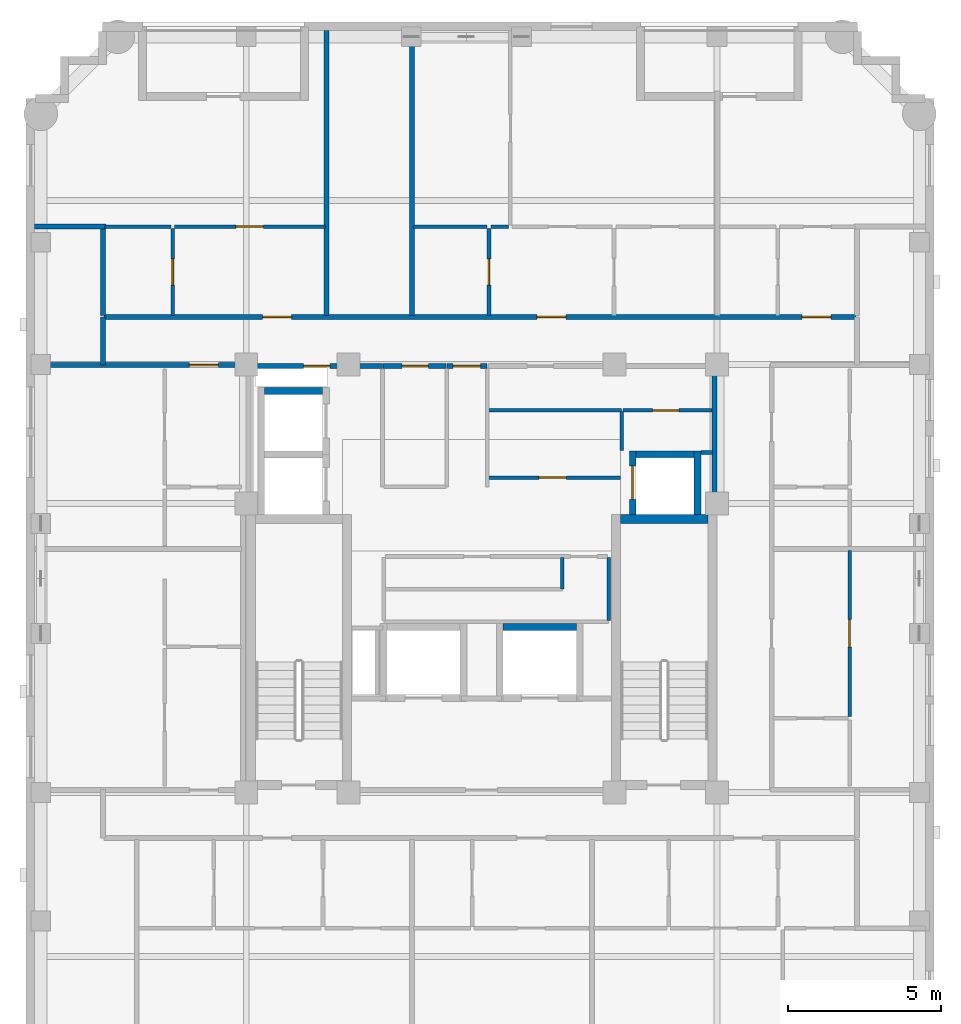
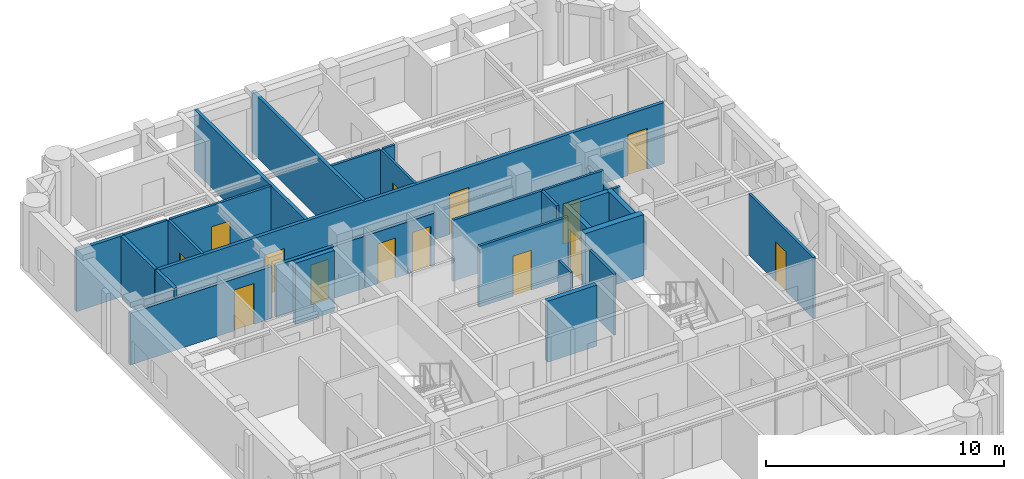
# One storey, part 5 of 10: 31 walls, 14 doors, 14 openings.
"""IFC4 building model written with IfcOpenShell, lengths in metres."""

from ifc_helpers import new_model, si_unit, derived_unit, direction, frame, frame_2d, origin, place, context, subcontext, project, spatial, rectangle, extrude, material, layer, layer_set, type_object, element, fill, save


model = new_model("IFC4")

# Units and contexts
model_context = context("Model", 3, precision=1e-05, world=origin(), true_north=direction((0.0, 1.0)))
body_context = subcontext(model_context, "Body", "Model", "MODEL_VIEW")
ifc_project = project(units=[si_unit("LENGTHUNIT", "METRE"), si_unit("AREAUNIT", "SQUARE_METRE"), si_unit("VOLUMEUNIT", "CUBIC_METRE"), si_unit("PLANEANGLEUNIT", "RADIAN"), si_unit("MASSUNIT", "GRAM", prefix="KILO"), derived_unit("THERMALTRANSMITTANCEUNIT", [(si_unit("MASSUNIT", "GRAM", prefix="KILO"), 1), (si_unit("TIMEUNIT", "SECOND"), -3), (si_unit("THERMODYNAMICTEMPERATUREUNIT", "KELVIN"), -1)])], contexts=[model_context])

# Site, building, storey
site_placement = place(None, origin())
site = spatial("IfcSite", under=ifc_project, at=site_placement, CompositionType="ELEMENT")
building_placement = place(site_placement, origin())
building = spatial("IfcBuilding", under=site, at=building_placement, Name="Korrvale Station Residences", CompositionType="ELEMENT")
storey_placement = place(building_placement, frame((0.0, 0.0, 237.699951171875)))
storey = spatial("IfcBuildingStorey", under=building, at=storey_placement, Name="L69", CompositionType="ELEMENT", Elevation=237.699951171875)

# Walls
ifc_material_1 = material(Name="Concrete C50/60", Category="concrete")
ifc_layer_1 = layer(ifc_material_1, 0.300048828125, Name="Concrete C50/60")
ifc_layer_set_1 = layer_set([ifc_layer_1], Name="Concrete C50/60")
wall_type_1 = type_object("IfcWallType", Name="WAL-CORE-300-C50", PredefinedType="SHEAR", material=ifc_layer_set_1)
wall_1_placement = place(storey_placement, frame((30.050048828125, 23.949951171875, 0.0), z_axis=(0.0, 0.0, 1.0), x_axis=(1.0, 0.0, 0.0)))
element("IfcWall", 1, at=wall_1_placement, inside=storey, type_object=wall_type_1, Name="L69 ST-2 Core Shear Wall North", PredefinedType="SHEAR", context=body_context, shape_type="SweptSolid", body=[
    extrude(rectangle(XDim=2.849853515625, YDim=0.300048828125, at=frame_2d((1.4248046875, 0.0))), origin(), (0.0, 0.0, 1.0), 3.14013671875),
])
ifc_material_2 = material(Name="Acoustic steel-stud gypsum board partition", Category="steel")
ifc_layer_2 = layer(ifc_material_2, 0.1201171875, Name="Acoustic steel-stud gypsum board partition")
ifc_layer_set_2 = layer_set([ifc_layer_2], Name="Acoustic steel-stud gypsum board partition")
wall_type_2 = type_object("IfcWallType", Name="WAL-PART-125", PredefinedType="PARTITIONING", material=ifc_layer_set_2)
wall_2_placement = place(storey_placement, frame((30.080078125, 26.179931640625, 0.0), z_axis=(0.0, 0.0, 1.0), x_axis=(0.0, 1.0, 0.0)))
element("IfcWall", 2, at=wall_2_placement, inside=storey, type_object=wall_type_2, Name="L69 Core Partition CW-CS-W", PredefinedType="PARTITIONING", context=body_context, shape_type="SweptSolid", body=[
    extrude(rectangle(XDim=1.280029296875, YDim=0.1201171875, at=frame_2d((0.64013671875, 0.0))), origin(), (0.0, 0.0, 1.0), 3.14013671875),
])
wall_3_placement = place(storey_placement, frame((32.679931640625, 26.1201171875, 0.0), z_axis=(0.0, 0.0, 1.0), x_axis=(1.0, 0.0, 0.0)))
element("IfcWall", 3, at=wall_3_placement, inside=storey, type_object=wall_type_2, Name="L69 Core Partition CW-CS-S", PredefinedType="PARTITIONING", context=body_context, shape_type="SweptSolid", body=[
    extrude(rectangle(XDim=0.380126953125, YDim=0.1201171875, at=frame_2d((0.18994140625, 0.0))), origin(), (0.0, 0.0, 1.0), 3.14013671875),
])

# Wall, opening, door
wall_4_placement = place(storey_placement, frame((30.1201171875, 27.5, 0.0), z_axis=(0.0, 0.0, 1.0), x_axis=(1.0, 0.0, 0.0)))
wall_4 = element("IfcWall", 4, at=wall_4_placement, inside=storey, type_object=wall_type_2, Name="L69 Core Partition CW-CS-H", PredefinedType="PARTITIONING", context=body_context, shape_type="SweptSolid", body=[
    extrude(rectangle(XDim=2.919921875, YDim=0.1201171875, at=frame_2d((1.4599609375, 0.0))), origin(), (0.0, 0.0, 1.0), 3.14013671875),
])
opening_1_placement = place(wall_4_placement, frame((0.969970703125, 0.0, 0.0)))
opening_1 = element("IfcOpeningElement", 5, at=opening_1_placement, cuts=wall_4, Name="Opening DB-860", PredefinedType="OPENING", context=body_context, shape_type="SweptSolid", body=[
    extrude(rectangle(XDim=0.860107421875, YDim=2.050048828125, at=frame_2d((0.43017578125, 1.02490234375))), frame((0.0, 0.070068359375, 0.0), z_axis=(0.0, -1.0, 0.0), x_axis=(1.0, 0.0, 0.0)), (0.0, 0.0, 1.0), 0.14013671875),
])
ifc_material_3 = material(Name="Moisture-resistant solid-core bathroom door", Category="timber")
door_type_1 = type_object("IfcDoorType", Name="DR-BATH-860", OperationType="NOTDEFINED", PredefinedType="DOOR", material=ifc_material_3)
door_1_placement = place(opening_1_placement, origin())
door_1 = element("IfcDoor", 6, at=door_1_placement, inside=storey, type_object=door_type_1, Name="L69 Mail Sorting Inner Door", OperationType="SINGLE_SWING_LEFT", OverallHeight=2.050048828125, OverallWidth=0.860107421875, PredefinedType="DOOR", context=body_context, shape_type="SweptSolid", body=[
    extrude(rectangle(XDim=0.860107421875, YDim=2.050048828125, at=frame_2d((0.43017578125, 1.02490234375))), frame((0.0, 0.02490234375, 0.0), z_axis=(0.0, -1.0, 0.0), x_axis=(1.0, 0.0, 0.0)), (0.0, 0.0, 1.0), 0.050048828125),
])
fill(opening_1, door_1)

# Wall
wall_5_placement = place(storey_placement, frame((25.719970703125, 27.5, 0.0), z_axis=(0.0, 0.0, 1.0), x_axis=(1.0, 0.0, 0.0)))
element("IfcWall", 7, at=wall_5_placement, inside=storey, type_object=wall_type_2, Name="L69 Core Partition CW-FPLE-H", PredefinedType="PARTITIONING", context=body_context, shape_type="SweptSolid", body=[
    extrude(rectangle(XDim=4.360107421875, YDim=0.1201171875, at=frame_2d((2.18017578125, 0.0))), origin(), (0.0, 0.0, 1.0), 3.14013671875),
])

# Wall, opening, door
wall_6_placement = place(storey_placement, frame((25.719970703125, 25.300048828125, 0.0), z_axis=(0.0, 0.0, 1.0), x_axis=(1.0, 0.0, 0.0)))
wall_6 = element("IfcWall", 8, at=wall_6_placement, inside=storey, type_object=wall_type_2, Name="L69 Core Partition CW-FPLE-S", PredefinedType="PARTITIONING", context=body_context, shape_type="SweptSolid", body=[
    extrude(rectangle(XDim=4.320068359375, YDim=0.1201171875, at=frame_2d((2.16015625, 0.0))), origin(), (0.0, 0.0, 1.0), 3.14013671875),
])
opening_2_placement = place(wall_6_placement, frame((1.64990234375, 0.0, 0.0)))
opening_2 = element("IfcOpeningElement", 9, at=opening_2_placement, cuts=wall_6, Name="Opening DI-900", PredefinedType="OPENING", context=body_context, shape_type="SweptSolid", body=[
    extrude(rectangle(XDim=0.89990234375, YDim=2.050048828125, at=frame_2d((0.449951171875, 1.02490234375))), frame((0.0, 0.070068359375, 0.0), z_axis=(0.0, -1.0, 0.0), x_axis=(1.0, 0.0, 0.0)), (0.0, 0.0, 1.0), 0.14013671875),
])
ifc_material_4 = material(Name="Painted solid-core timber interior room door", Category="wood")
door_type_2 = type_object("IfcDoorType", Name="DR-INT-900", OperationType="NOTDEFINED", PredefinedType="DOOR", material=ifc_material_4)
door_2_placement = place(opening_2_placement, origin())
door_2 = element("IfcDoor", 10, at=door_2_placement, inside=storey, type_object=door_type_2, Name="L69 Housekeeping Linen Door", OperationType="SINGLE_SWING_LEFT", OverallHeight=2.050048828125, OverallWidth=0.89990234375, PredefinedType="DOOR", context=body_context, shape_type="SweptSolid", body=[
    extrude(rectangle(XDim=0.89990234375, YDim=2.050048828125, at=frame_2d((0.449951171875, 1.02490234375))), frame((0.0, 0.02490234375, 0.0), z_axis=(0.0, -1.0, 0.0), x_axis=(1.0, 0.0, 0.0)), (0.0, 0.0, 1.0), 0.050048828125),
])
fill(opening_2, door_2)

# Walls
wall_7_placement = place(storey_placement, frame((29.659912109375, 20.6201171875, 0.0), z_axis=(0.0, 0.0, 1.0), x_axis=(0.0, 1.0, 0.0)))
element("IfcWall", 11, at=wall_7_placement, inside=storey, type_object=wall_type_2, Name="L69 Core Partition CW-FPM-E", PredefinedType="PARTITIONING", context=body_context, shape_type="SweptSolid", body=[
    extrude(rectangle(XDim=2.059814453125, YDim=0.1201171875, at=frame_2d((1.02978515625, 0.0))), origin(), (0.0, 0.0, 1.0), 3.14013671875),
])
wall_8_placement = place(storey_placement, frame((28.139892578125, 21.64990234375, 0.0), z_axis=(0.0, 0.0, 1.0), x_axis=(0.0, 1.0, 0.0)))
element("IfcWall", 12, at=wall_8_placement, inside=storey, type_object=wall_type_2, Name="L69 Core Partition CW-FPM-V1", PredefinedType="PARTITIONING", context=body_context, shape_type="SweptSolid", body=[
    extrude(rectangle(XDim=1.030029296875, YDim=0.1201171875, at=frame_2d((0.51513671875, 0.0))), origin(), (0.0, 0.0, 1.0), 3.14013671875),
])

# Wall, opening, door
wall_9_placement = place(storey_placement, frame((15.39697265625, 30.60009765625, 0.0), z_axis=(0.0, 0.0, 1.0), x_axis=(0.0, 1.0, 0.0)))
wall_9 = element("IfcWall", 13, at=wall_9_placement, inside=storey, type_object=wall_type_2, Name="L69 Suite Partition U04-V01", PredefinedType="PARTITIONING", context=body_context, shape_type="SweptSolid", body=[
    extrude(rectangle(XDim=2.849853515625, YDim=0.1201171875, at=frame_2d((1.4248046875, 0.0))), origin(), (0.0, 0.0, 1.0), 3.14013671875),
])
opening_3_placement = place(wall_9_placement, frame((0.9951171875, 0.0, 0.0)))
opening_3 = element("IfcOpeningElement", 14, at=opening_3_placement, cuts=wall_9, Name="Opening DB-860", PredefinedType="OPENING", context=body_context, shape_type="SweptSolid", body=[
    extrude(rectangle(XDim=0.860107421875, YDim=2.050048828125, at=frame_2d((0.43017578125, 1.02490234375))), frame((0.0, 0.070068359375, 0.0), z_axis=(0.0, -1.0, 0.0), x_axis=(1.0, 0.0, 0.0)), (0.0, 0.0, 1.0), 0.14013671875),
])
door_3_placement = place(opening_3_placement, origin())
door_3 = element("IfcDoor", 15, at=door_3_placement, inside=storey, type_object=door_type_1, Name="L69 Studio Apartment L69-U04 Bathroom Door", OperationType="SINGLE_SWING_RIGHT", OverallHeight=2.050048828125, OverallWidth=0.860107421875, PredefinedType="DOOR", context=body_context, shape_type="SweptSolid", body=[
    extrude(rectangle(XDim=0.860107421875, YDim=2.050048828125, at=frame_2d((0.43017578125, 1.02490234375))), frame((0.0, 0.02490234375, 0.0), z_axis=(0.0, -1.0, 0.0), x_axis=(1.0, 0.0, 0.0)), (0.0, 0.0, 1.0), 0.050048828125),
])
fill(opening_3, door_3)

# Wall
wall_10_placement = place(storey_placement, frame((13.179931640625, 33.510009765625, 0.0), z_axis=(0.0, 0.0, 1.0), x_axis=(1.0, 0.0, 0.0)))
element("IfcWall", 16, at=wall_10_placement, inside=storey, type_object=wall_type_2, Name="L69 Suite Partition U04-H02", PredefinedType="PARTITIONING", context=body_context, shape_type="SweptSolid", body=[
    extrude(rectangle(XDim=2.156982421875, YDim=0.1201171875, at=frame_2d((1.07861328125, 0.0))), origin(), (0.0, 0.0, 1.0), 3.14013671875),
])

# Wall, opening, door
wall_11_placement = place(storey_placement, frame((15.45703125, 33.510009765625, 0.0), z_axis=(0.0, 0.0, 1.0), x_axis=(1.0, 0.0, 0.0)))
wall_11 = element("IfcWall", 17, at=wall_11_placement, inside=storey, type_object=wall_type_2, Name="L69 Suite Partition U04-H12", PredefinedType="PARTITIONING", context=body_context, shape_type="SweptSolid", body=[
    extrude(rectangle(XDim=4.9130859375, YDim=0.1201171875, at=frame_2d((2.45654296875, 0.0))), origin(), (0.0, 0.0, 1.0), 3.14013671875),
])
opening_4_placement = place(wall_11_placement, frame((2.006103515625, 0.0, 0.0)))
opening_4 = element("IfcOpeningElement", 18, at=opening_4_placement, cuts=wall_11, Name="Opening DI-900", PredefinedType="OPENING", context=body_context, shape_type="SweptSolid", body=[
    extrude(rectangle(XDim=0.89990234375, YDim=2.050048828125, at=frame_2d((0.449951171875, 1.02490234375))), frame((0.0, 0.070068359375, 0.0), z_axis=(0.0, -1.0, 0.0), x_axis=(1.0, 0.0, 0.0)), (0.0, 0.0, 1.0), 0.14013671875),
])
door_4_placement = place(opening_4_placement, origin())
door_4 = element("IfcDoor", 19, at=door_4_placement, inside=storey, type_object=door_type_2, Name="L69 Studio Apartment L69-U04 Kitchen Door", OperationType="SINGLE_SWING_LEFT", OverallHeight=2.050048828125, OverallWidth=0.89990234375, PredefinedType="DOOR", context=body_context, shape_type="SweptSolid", body=[
    extrude(rectangle(XDim=0.89990234375, YDim=2.050048828125, at=frame_2d((0.449951171875, 1.02490234375))), frame((0.0, 0.02490234375, 0.0), z_axis=(0.0, -1.0, 0.0), x_axis=(1.0, 0.0, 0.0)), (0.0, 0.0, 1.0), 0.050048828125),
])
fill(opening_4, door_4)

wall_12_placement = place(storey_placement, frame((25.739990234375, 30.60009765625, 0.0), z_axis=(0.0, 0.0, 1.0), x_axis=(0.0, 1.0, 0.0)))
wall_12 = element("IfcWall", 20, at=wall_12_placement, inside=storey, type_object=wall_type_2, Name="L69 Suite Partition U05-V01", PredefinedType="PARTITIONING", context=body_context, shape_type="SweptSolid", body=[
    extrude(rectangle(XDim=2.849853515625, YDim=0.1201171875, at=frame_2d((1.4248046875, 0.0))), origin(), (0.0, 0.0, 1.0), 3.14013671875),
])
opening_5_placement = place(wall_12_placement, frame((0.9951171875, 0.0, 0.0)))
opening_5 = element("IfcOpeningElement", 21, at=opening_5_placement, cuts=wall_12, Name="Opening DB-860", PredefinedType="OPENING", context=body_context, shape_type="SweptSolid", body=[
    extrude(rectangle(XDim=0.860107421875, YDim=2.050048828125, at=frame_2d((0.43017578125, 1.02490234375))), frame((0.0, 0.070068359375, 0.0), z_axis=(0.0, -1.0, 0.0), x_axis=(1.0, 0.0, 0.0)), (0.0, 0.0, 1.0), 0.14013671875),
])
door_5_placement = place(opening_5_placement, origin())
door_5 = element("IfcDoor", 22, at=door_5_placement, inside=storey, type_object=door_type_1, Name="L69 Studio Apartment L69-U05 Bathroom Door", OperationType="SINGLE_SWING_RIGHT", OverallHeight=2.050048828125, OverallWidth=0.860107421875, PredefinedType="DOOR", context=body_context, shape_type="SweptSolid", body=[
    extrude(rectangle(XDim=0.860107421875, YDim=2.050048828125, at=frame_2d((0.43017578125, 1.02490234375))), frame((0.0, 0.02490234375, 0.0), z_axis=(0.0, -1.0, 0.0), x_axis=(1.0, 0.0, 0.0)), (0.0, 0.0, 1.0), 0.050048828125),
])
fill(opening_5, door_5)

# Walls
wall_13_placement = place(storey_placement, frame((23.280029296875, 33.510009765625, 0.0), z_axis=(0.0, 0.0, 1.0), x_axis=(1.0, 0.0, 0.0)))
element("IfcWall", 23, at=wall_13_placement, inside=storey, type_object=wall_type_2, Name="L69 Suite Partition U05-H03", PredefinedType="PARTITIONING", context=body_context, shape_type="SweptSolid", body=[
    extrude(rectangle(XDim=2.39990234375, YDim=0.1201171875, at=frame_2d((1.199951171875, 0.0))), origin(), (0.0, 0.0, 1.0), 3.14013671875),
])
wall_14_placement = place(storey_placement, frame((25.800048828125, 33.510009765625, 0.0), z_axis=(0.0, 0.0, 1.0), x_axis=(1.0, 0.0, 0.0)))
element("IfcWall", 24, at=wall_14_placement, inside=storey, type_object=wall_type_2, Name="L69 Suite Partition U05-H13", PredefinedType="PARTITIONING", context=body_context, shape_type="SweptSolid", body=[
    extrude(rectangle(XDim=0.579833984375, YDim=0.1201171875, at=frame_2d((0.2900390625, 0.0))), origin(), (0.0, 0.0, 1.0), 3.14013671875),
])

# Wall, opening, door
wall_15_placement = place(storey_placement, frame((37.5400390625, 17.489013671875, 0.0), z_axis=(0.0, 0.0, 1.0), x_axis=(0.0, 1.0, 0.0)))
wall_15 = element("IfcWall", 25, at=wall_15_placement, inside=storey, type_object=wall_type_2, Name="L69 Suite Partition U09-V12", PredefinedType="PARTITIONING", context=body_context, shape_type="SweptSolid", body=[
    extrude(rectangle(XDim=5.43310546875, YDim=0.1201171875, at=frame_2d((2.716552734375, 0.0))), origin(), (0.0, 0.0, 1.0), 3.14013671875),
])
opening_6_placement = place(wall_15_placement, frame((2.26611328125, 0.0, 0.0)))
opening_6 = element("IfcOpeningElement", 26, at=opening_6_placement, cuts=wall_15, Name="Opening DI-900", PredefinedType="OPENING", context=body_context, shape_type="SweptSolid", body=[
    extrude(rectangle(XDim=0.89990234375, YDim=2.050048828125, at=frame_2d((0.449951171875, 1.02490234375))), frame((0.0, 0.070068359375, 0.0), z_axis=(0.0, -1.0, 0.0), x_axis=(1.0, 0.0, 0.0)), (0.0, 0.0, 1.0), 0.14013671875),
])
door_6_placement = place(opening_6_placement, origin())
door_6 = element("IfcDoor", 27, at=door_6_placement, inside=storey, type_object=door_type_2, Name="L69 Apartment 1BR L69-U09 Kitchen Door", OperationType="SINGLE_SWING_RIGHT", OverallHeight=2.050048828125, OverallWidth=0.89990234375, PredefinedType="DOOR", context=body_context, shape_type="SweptSolid", body=[
    extrude(rectangle(XDim=0.89990234375, YDim=2.050048828125, at=frame_2d((0.449951171875, 1.02490234375))), frame((0.0, 0.02490234375, 0.0), z_axis=(0.0, -1.0, 0.0), x_axis=(1.0, 0.0, 0.0)), (0.0, 0.0, 1.0), 0.050048828125),
])
fill(opening_6, door_6)

# Wall
ifc_material_5 = material(Name="Fire-rated twin-stud gypsum and mineral wool shaftwall assembly", Category="gypsum")
ifc_layer_3 = layer(ifc_material_5, 0.159912109375, Name="Fire-rated twin-stud gypsum and mineral wool shaftwall assembly")
ifc_layer_set_3 = layer_set([ifc_layer_3], Name="Fire-rated twin-stud gypsum and mineral wool shaftwall assembly")
wall_type_3 = type_object("IfcWallType", Name="WAL-PART-200", PredefinedType="PARTITIONING", material=ifc_layer_set_3)
wall_16_placement = place(storey_placement, frame((33.1201171875, 24.1201171875, 0.0), z_axis=(0.0, 0.0, 1.0), x_axis=(0.0, 1.0, 0.0)))
element("IfcWall", 28, at=wall_16_placement, inside=storey, type_object=wall_type_3, Name="L69 Core Partition CW-E-N", PredefinedType="PARTITIONING", context=body_context, shape_type="SweptSolid", body=[
    extrude(rectangle(XDim=4.759765625, YDim=0.159912109375, at=frame_2d((2.3798828125, 0.0))), origin(), (0.0, 0.0, 1.0), 2.47509765625),
])

# Wall, opening, door
wall_17_placement = place(storey_placement, frame((24.360107421875, 28.949951171875, 0.0), z_axis=(0.0, 0.0, 1.0), x_axis=(1.0, 0.0, 0.0)))
wall_17 = element("IfcWall", 29, at=wall_17_placement, inside=storey, type_object=wall_type_3, Name="L69 Core Partition CW-LLOB-N", PredefinedType="PARTITIONING", context=body_context, shape_type="SweptSolid", body=[
    extrude(rectangle(XDim=1.31982421875, YDim=0.159912109375, at=frame_2d((0.659912109375, 0.0))), origin(), (0.0, 0.0, 1.0), 2.66796875),
])
opening_7_placement = place(wall_17_placement, frame((0.2099609375, 0.0, 0.0)))
opening_7 = element("IfcOpeningElement", 30, at=opening_7_placement, cuts=wall_17, Name="Opening DI-900", PredefinedType="OPENING", context=body_context, shape_type="SweptSolid", body=[
    extrude(rectangle(XDim=0.89990234375, YDim=2.050048828125, at=frame_2d((0.449951171875, 1.02490234375))), frame((0.0, 0.08984375, 0.0), z_axis=(0.0, -1.0, 0.0), x_axis=(1.0, 0.0, 0.0)), (0.0, 0.0, 1.0), 0.179931640625),
])
door_7_placement = place(opening_7_placement, origin())
door_7 = element("IfcDoor", 31, at=door_7_placement, inside=storey, type_object=door_type_2, Name="L69 Central Hallway North Passage Door", OperationType="SINGLE_SWING_LEFT", OverallHeight=2.050048828125, OverallWidth=0.89990234375, PredefinedType="DOOR", context=body_context, shape_type="SweptSolid", body=[
    extrude(rectangle(XDim=0.89990234375, YDim=2.050048828125, at=frame_2d((0.449951171875, 1.02490234375))), frame((0.0, 0.02490234375, 0.0), z_axis=(0.0, -1.0, 0.0), x_axis=(1.0, 0.0, 0.0)), (0.0, 0.0, 1.0), 0.050048828125),
])
fill(opening_7, door_7)

wall_18_placement = place(storey_placement, frame((17.9599609375, 28.949951171875, 0.0), z_axis=(0.0, 0.0, 1.0), x_axis=(1.0, 0.0, 0.0)))
wall_18 = element("IfcWall", 32, at=wall_18_placement, inside=storey, type_object=wall_type_3, Name="L69 Core Partition CW-NW", PredefinedType="PARTITIONING", context=body_context, shape_type="SweptSolid", body=[
    extrude(rectangle(XDim=4.2900390625, YDim=0.159912109375, at=frame_2d((2.14501953125, 0.0))), origin(), (0.0, 0.0, 1.0), 2.66796875),
])
opening_8_placement = place(wall_18_placement, frame((1.715087890625, 0.0, 0.0)))
opening_8 = element("IfcOpeningElement", 33, at=opening_8_placement, cuts=wall_18, Name="Opening DB-860", PredefinedType="OPENING", context=body_context, shape_type="SweptSolid", body=[
    extrude(rectangle(XDim=0.860107421875, YDim=2.050048828125, at=frame_2d((0.43017578125, 1.02490234375))), frame((0.0, 0.08984375, 0.0), z_axis=(0.0, -1.0, 0.0), x_axis=(1.0, 0.0, 0.0)), (0.0, 0.0, 1.0), 0.179931640625),
])
door_8_placement = place(opening_8_placement, origin())
door_8 = element("IfcDoor", 34, at=door_8_placement, inside=storey, type_object=door_type_1, Name="L69 Electrical Riser Access Door", OperationType="SINGLE_SWING_RIGHT", OverallHeight=2.050048828125, OverallWidth=0.860107421875, PredefinedType="DOOR", context=body_context, shape_type="SweptSolid", body=[
    extrude(rectangle(XDim=0.860107421875, YDim=2.050048828125, at=frame_2d((0.43017578125, 1.02490234375))), frame((0.0, 0.02490234375, 0.0), z_axis=(0.0, -1.0, 0.0), x_axis=(1.0, 0.0, 0.0)), (0.0, 0.0, 1.0), 0.050048828125),
])
fill(opening_8, door_8)

wall_19_placement = place(storey_placement, frame((22.280029296875, 28.949951171875, 0.0), z_axis=(0.0, 0.0, 1.0), x_axis=(1.0, 0.0, 0.0)))
wall_19 = element("IfcWall", 35, at=wall_19_placement, inside=storey, type_object=wall_type_3, Name="L69 Core Partition CW-FPLW-N", PredefinedType="PARTITIONING", context=body_context, shape_type="SweptSolid", body=[
    extrude(rectangle(XDim=2.06005859375, YDim=0.159912109375, at=frame_2d((1.030029296875, 0.0))), origin(), (0.0, 0.0, 1.0), 2.66796875),
])
opening_9_placement = place(wall_19_placement, frame((0.6201171875, 0.0, 0.0)))
opening_9 = element("IfcOpeningElement", 36, at=opening_9_placement, cuts=wall_19, Name="Opening DB-860", PredefinedType="OPENING", context=body_context, shape_type="SweptSolid", body=[
    extrude(rectangle(XDim=0.860107421875, YDim=2.050048828125, at=frame_2d((0.43017578125, 1.02490234375))), frame((0.0, 0.08984375, 0.0), z_axis=(0.0, -1.0, 0.0), x_axis=(1.0, 0.0, 0.0)), (0.0, 0.0, 1.0), 0.179931640625),
])
door_9_placement = place(opening_9_placement, origin())
door_9 = element("IfcDoor", 37, at=door_9_placement, inside=storey, type_object=door_type_1, Name="L69 Resident Parcel Room Door", OperationType="SINGLE_SWING_RIGHT", OverallHeight=2.050048828125, OverallWidth=0.860107421875, PredefinedType="DOOR", context=body_context, shape_type="SweptSolid", body=[
    extrude(rectangle(XDim=0.860107421875, YDim=2.050048828125, at=frame_2d((0.43017578125, 1.02490234375))), frame((0.0, 0.02490234375, 0.0), z_axis=(0.0, -1.0, 0.0), x_axis=(1.0, 0.0, 0.0)), (0.0, 0.0, 1.0), 0.050048828125),
])
fill(opening_9, door_9)

# Walls
wall_20_placement = place(storey_placement, frame((13.1201171875, 28.97998046875, 0.0), z_axis=(0.0, 0.0, 1.0), x_axis=(0.0, 1.0, 0.0)))
element("IfcWall", 38, at=wall_20_placement, inside=storey, type_object=wall_type_3, Name="L69 Corridor North West Cap", PredefinedType="PARTITIONING", context=body_context, shape_type="SweptSolid", body=[
    extrude(rectangle(XDim=1.580078125, YDim=0.159912109375, at=frame_2d((0.7900390625, 0.0))), origin(), (0.0, 0.0, 1.0), 3.14013671875),
])
wall_21_placement = place(storey_placement, frame((10.8798828125, 33.510009765625, 0.0), z_axis=(0.0, 0.0, 1.0), x_axis=(1.0, 0.0, 0.0)))
element("IfcWall", 39, at=wall_21_placement, inside=storey, type_object=wall_type_3, Name="L69 Corner Step Wall U04-L", PredefinedType="PARTITIONING", context=body_context, shape_type="SweptSolid", body=[
    extrude(rectangle(XDim=2.340087890625, YDim=0.159912109375, at=frame_2d((1.169921875, 0.0))), origin(), (0.0, 0.0, 1.0), 3.14013671875),
])
wall_22_placement = place(storey_placement, frame((13.1201171875, 30.60009765625, 0.0), z_axis=(0.0, 0.0, 1.0), x_axis=(0.0, 1.0, 0.0)))
element("IfcWall", 40, at=wall_22_placement, inside=storey, type_object=wall_type_3, Name="L69 Corner Step Cheek U04-L", PredefinedType="PARTITIONING", context=body_context, shape_type="SweptSolid", body=[
    extrude(rectangle(XDim=2.909912109375, YDim=0.159912109375, at=frame_2d((1.455078125, 0.0))), origin(), (0.0, 0.0, 1.0), 3.14013671875),
])
for number, where, z_axis, x_axis, name in (
    (41, (20.429931640625, 30.60009765625, 0.0), (0.0, 0.0, 1.0), (0.0, 1.0, 0.0), "L69 Demising Wall U04-E"),
    (42, (23.219970703125, 30.60009765625, 0.0), (0.0, 0.0, 1.0), (0.0, 1.0, 0.0), "L69 Demising Wall U05-W"),
):
    element("IfcWall", number, at=place(storey_placement, frame(where, z_axis=z_axis, x_axis=x_axis)), inside=storey, type_object=wall_type_3, Name=name, PredefinedType="PARTITIONING", context=body_context, shape_type="SweptSolid", body=[
        extrude(rectangle(XDim=9.31982421875, YDim=0.159912109375, at=frame_2d((4.659912109375, 0.0))), origin(), (0.0, 0.0, 1.0), 3.14013671875),
    ])

# Wall, opening, door
wall_23_placement = place(storey_placement, frame((10.8798828125, 28.97998046875, 0.0), z_axis=(0.0, 0.0, 1.0), x_axis=(1.0, 0.0, 0.0)))
wall_23 = element("IfcWall", 43, at=wall_23_placement, inside=storey, type_object=wall_type_3, Name="L69 Side Suite North Entry Wall U08", PredefinedType="PARTITIONING", context=body_context, shape_type="SweptSolid", body=[
    extrude(rectangle(XDim=6.880126953125, YDim=0.159912109375, at=frame_2d((3.43994140625, 0.0))), origin(), (0.0, 0.0, 1.0), 2.66796875),
])
opening_10_placement = place(wall_23_placement, frame((5.06005859375, 0.0, 0.0)))
opening_10 = element("IfcOpeningElement", 44, at=opening_10_placement, cuts=wall_23, Name="Opening UD-950", PredefinedType="OPENING", context=body_context, shape_type="SweptSolid", body=[
    extrude(rectangle(XDim=0.949951171875, YDim=2.10009765625, at=frame_2d((0.47509765625, 1.050048828125))), frame((0.0, 0.08984375, 0.0), z_axis=(0.0, -1.0, 0.0), x_axis=(1.0, 0.0, 0.0)), (0.0, 0.0, 1.0), 0.179931640625),
])
ifc_material_6 = material(Name="Solid-core acoustic oak apartment entrance door", Category="timber")
door_type_3 = type_object("IfcDoorType", Name="DR-UNIT-950", OperationType="NOTDEFINED", PredefinedType="DOOR", material=ifc_material_6)
door_10_placement = place(opening_10_placement, origin())
door_10 = element("IfcDoor", 45, at=door_10_placement, inside=storey, type_object=door_type_3, Name="L69 Apartment L69-U08 Entrance Door", OperationType="SINGLE_SWING_RIGHT", OverallHeight=2.10009765625, OverallWidth=0.949951171875, PredefinedType="DOOR", context=body_context, shape_type="SweptSolid", body=[
    extrude(rectangle(XDim=0.949951171875, YDim=2.10009765625, at=frame_2d((0.47509765625, 1.050048828125))), frame((0.0, 0.02490234375, 0.0), z_axis=(0.0, -1.0, 0.0), x_axis=(1.0, 0.0, 0.0)), (0.0, 0.0, 1.0), 0.050048828125),
])
fill(opening_10, door_10)

# Wall, openings, doors
wall_24_placement = place(storey_placement, frame((13.14990234375, 30.56005859375, 0.0), z_axis=(0.0, 0.0, 1.0), x_axis=(1.0, 0.0, 0.0)))
wall_24 = element("IfcWall", 46, at=wall_24_placement, inside=storey, type_object=wall_type_3, Name="L69 Rated Corridor Wall N", PredefinedType="PARTITIONING", context=body_context, shape_type="SweptSolid", body=[
    extrude(rectangle(XDim=24.60009765625, YDim=0.159912109375, at=frame_2d((12.300048828125, 0.0))), origin(), (0.0, 0.0, 1.0), 3.14013671875),
])
opening_11_placement = place(wall_24_placement, frame((5.18505859375, 0.0, 0.0)))
opening_11 = element("IfcOpeningElement", 47, at=opening_11_placement, cuts=wall_24, Name="Opening UD-950", PredefinedType="OPENING", context=body_context, shape_type="SweptSolid", body=[
    extrude(rectangle(XDim=0.949951171875, YDim=2.10009765625, at=frame_2d((0.47509765625, 1.050048828125))), frame((0.0, 0.08984375, 0.0), z_axis=(0.0, -1.0, 0.0), x_axis=(1.0, 0.0, 0.0)), (0.0, 0.0, 1.0), 0.179931640625),
])
opening_12_placement = place(wall_24_placement, frame((14.159912109375, 0.0, 0.0)))
opening_12 = element("IfcOpeningElement", 48, at=opening_12_placement, cuts=wall_24, Name="Opening UD-950", PredefinedType="OPENING", context=body_context, shape_type="SweptSolid", body=[
    extrude(rectangle(XDim=0.949951171875, YDim=2.10009765625, at=frame_2d((0.47509765625, 1.050048828125))), frame((0.0, 0.08984375, 0.0), z_axis=(0.0, -1.0, 0.0), x_axis=(1.0, 0.0, 0.0)), (0.0, 0.0, 1.0), 0.179931640625),
])
opening_13_placement = place(wall_24_placement, frame((22.824951171875, 0.0, 0.0)))
opening_13 = element("IfcOpeningElement", 49, at=opening_13_placement, cuts=wall_24, Name="Opening UD-950", PredefinedType="OPENING", context=body_context, shape_type="SweptSolid", body=[
    extrude(rectangle(XDim=0.949951171875, YDim=2.10009765625, at=frame_2d((0.47509765625, 1.050048828125))), frame((0.0, 0.08984375, 0.0), z_axis=(0.0, -1.0, 0.0), x_axis=(1.0, 0.0, 0.0)), (0.0, 0.0, 1.0), 0.179931640625),
])
door_11_placement = place(opening_11_placement, origin())
door_11 = element("IfcDoor", 50, at=door_11_placement, inside=storey, type_object=door_type_3, Name="L69 Apartment L69-U04 Entrance Door", OperationType="SINGLE_SWING_RIGHT", OverallHeight=2.10009765625, OverallWidth=0.949951171875, PredefinedType="DOOR", context=body_context, shape_type="SweptSolid", body=[
    extrude(rectangle(XDim=0.949951171875, YDim=2.10009765625, at=frame_2d((0.47509765625, 1.050048828125))), frame((0.0, 0.02490234375, 0.0), z_axis=(0.0, -1.0, 0.0), x_axis=(1.0, 0.0, 0.0)), (0.0, 0.0, 1.0), 0.050048828125),
])
fill(opening_11, door_11)
door_12_placement = place(opening_12_placement, origin())
door_12 = element("IfcDoor", 51, at=door_12_placement, inside=storey, type_object=door_type_3, Name="L69 Apartment L69-U05 Entrance Door", OperationType="SINGLE_SWING_LEFT", OverallHeight=2.10009765625, OverallWidth=0.949951171875, PredefinedType="DOOR", context=body_context, shape_type="SweptSolid", body=[
    extrude(rectangle(XDim=0.949951171875, YDim=2.10009765625, at=frame_2d((0.47509765625, 1.050048828125))), frame((0.0, 0.02490234375, 0.0), z_axis=(0.0, -1.0, 0.0), x_axis=(1.0, 0.0, 0.0)), (0.0, 0.0, 1.0), 0.050048828125),
])
fill(opening_12, door_12)
door_13_placement = place(opening_13_placement, origin())
door_13 = element("IfcDoor", 52, at=door_13_placement, inside=storey, type_object=door_type_3, Name="L69 Apartment L69-U06 Entrance Door", OperationType="SINGLE_SWING_RIGHT", OverallHeight=2.10009765625, OverallWidth=0.949951171875, PredefinedType="DOOR", context=body_context, shape_type="SweptSolid", body=[
    extrude(rectangle(XDim=0.949951171875, YDim=2.10009765625, at=frame_2d((0.47509765625, 1.050048828125))), frame((0.0, 0.02490234375, 0.0), z_axis=(0.0, -1.0, 0.0), x_axis=(1.0, 0.0, 0.0)), (0.0, 0.0, 1.0), 0.050048828125),
])
fill(opening_13, door_13)

# Walls
ifc_layer_4 = layer(ifc_material_1, 0.219970703125, Name="Concrete C50/60")
ifc_layer_set_4 = layer_set([ifc_layer_4], Name="Concrete C50/60")
wall_type_4 = type_object("IfcWallType", Name="WAL-SHAFT-220-C50", PredefinedType="SHEAR", material=ifc_layer_set_4)
wall_25_placement = place(storey_placement, frame((18.39990234375, 28.1298828125, 0.0), z_axis=(0.0, 0.0, 1.0), x_axis=(1.0, 0.0, 0.0)))
element("IfcWall", 53, at=wall_25_placement, inside=storey, type_object=wall_type_4, Name="L69 Elevator PH-2 Hoistway Wall North", PredefinedType="SHEAR", context=body_context, shape_type="SweptSolid", body=[
    extrude(rectangle(XDim=1.900146484375, YDim=0.219970703125, at=frame_2d((0.9501953125, 0.0))), origin(), (0.0, 0.0, 1.0), 3.14013671875),
])
wall_26_placement = place(storey_placement, frame((30.550048828125, 26.06005859375, 0.0), z_axis=(0.0, 0.0, 1.0), x_axis=(1.0, 0.0, 0.0)))
element("IfcWall", 54, at=wall_26_placement, inside=storey, type_object=wall_type_4, Name="L69 Elevator PH-3 Hoistway Wall North", PredefinedType="SHEAR", context=body_context, shape_type="SweptSolid", body=[
    extrude(rectangle(XDim=1.89990234375, YDim=0.219970703125, at=frame_2d((0.949951171875, 0.0))), origin(), (0.0, 0.0, 1.0), 3.14013671875),
])

# Wall, opening, door
wall_27_placement = place(storey_placement, frame((30.43994140625, 24.10009765625, 0.0), z_axis=(0.0, 0.0, 1.0), x_axis=(0.0, 1.0, 0.0)))
wall_27 = element("IfcWall", 55, at=wall_27_placement, inside=storey, type_object=wall_type_4, Name="L69 Elevator PH-3 Hoistway Wall West", PredefinedType="SHEAR", context=body_context, shape_type="SweptSolid", body=[
    extrude(rectangle(XDim=2.06982421875, YDim=0.219970703125, at=frame_2d((1.034912109375, 0.0))), origin(), (0.0, 0.0, 1.0), 3.14013671875),
])
opening_14_placement = place(wall_27_placement, frame((0.485107421875, 0.0, 0.0)))
opening_14 = element("IfcOpeningElement", 56, at=opening_14_placement, cuts=wall_27, Name="Opening LD-1100", PredefinedType="OPENING", context=body_context, shape_type="SweptSolid", body=[
    extrude(rectangle(XDim=1.10009765625, YDim=2.14990234375, at=frame_2d((0.550048828125, 1.074951171875))), frame((0.0, 0.1201171875, 0.0), z_axis=(0.0, -1.0, 0.0), x_axis=(1.0, 0.0, 0.0)), (0.0, 0.0, 1.0), 0.239990234375),
])
ifc_material_7 = material(Name="Brushed stainless-steel elevator landing sliding door", Category="steel")
door_type_4 = type_object("IfcDoorType", Name="DR-LIFT-1100", OperationType="SLIDING_TO_LEFT", PredefinedType="DOOR", material=ifc_material_7)
door_14_placement = place(opening_14_placement, origin())
door_14 = element("IfcDoor", 57, at=door_14_placement, inside=storey, type_object=door_type_4, Name="L69 Elevator PH-3 Sliding Landing Door", OperationType="SLIDING_TO_LEFT", OverallHeight=2.14990234375, OverallWidth=1.10009765625, PredefinedType="DOOR", context=body_context, shape_type="SweptSolid", body=[
    extrude(rectangle(XDim=1.10009765625, YDim=2.14990234375, at=frame_2d((0.550048828125, 1.074951171875))), frame((0.0, 0.02490234375, 0.0), z_axis=(0.0, -1.0, 0.0), x_axis=(1.0, 0.0, 0.0)), (0.0, 0.0, 1.0), 0.050048828125),
])
fill(opening_14, door_14)

# Walls
wall_28_placement = place(storey_placement, frame((32.56005859375, 24.10009765625, 0.0), z_axis=(0.0, 0.0, 1.0), x_axis=(0.0, 1.0, 0.0)))
element("IfcWall", 58, at=wall_28_placement, inside=storey, type_object=wall_type_4, Name="L69 Elevator PH-3 Hoistway Wall East", PredefinedType="SHEAR", context=body_context, shape_type="SweptSolid", body=[
    extrude(rectangle(XDim=2.06982421875, YDim=0.219970703125, at=frame_2d((1.034912109375, 0.0))), origin(), (0.0, 0.0, 1.0), 3.14013671875),
])
wall_29_placement = place(storey_placement, frame((26.199951171875, 20.409912109375, 0.0), z_axis=(0.0, 0.0, 1.0), x_axis=(1.0, 0.0, 0.0)))
element("IfcWall", 59, at=wall_29_placement, inside=storey, type_object=wall_type_4, Name="L69 Elevator FFL-2 Hoistway Wall North", PredefinedType="SHEAR", context=body_context, shape_type="SweptSolid", body=[
    extrude(rectangle(XDim=2.400146484375, YDim=0.219970703125, at=frame_2d((1.2001953125, 0.0))), origin(), (0.0, 0.0, 1.0), 3.14013671875),
])

save(model, "model.ifc")
